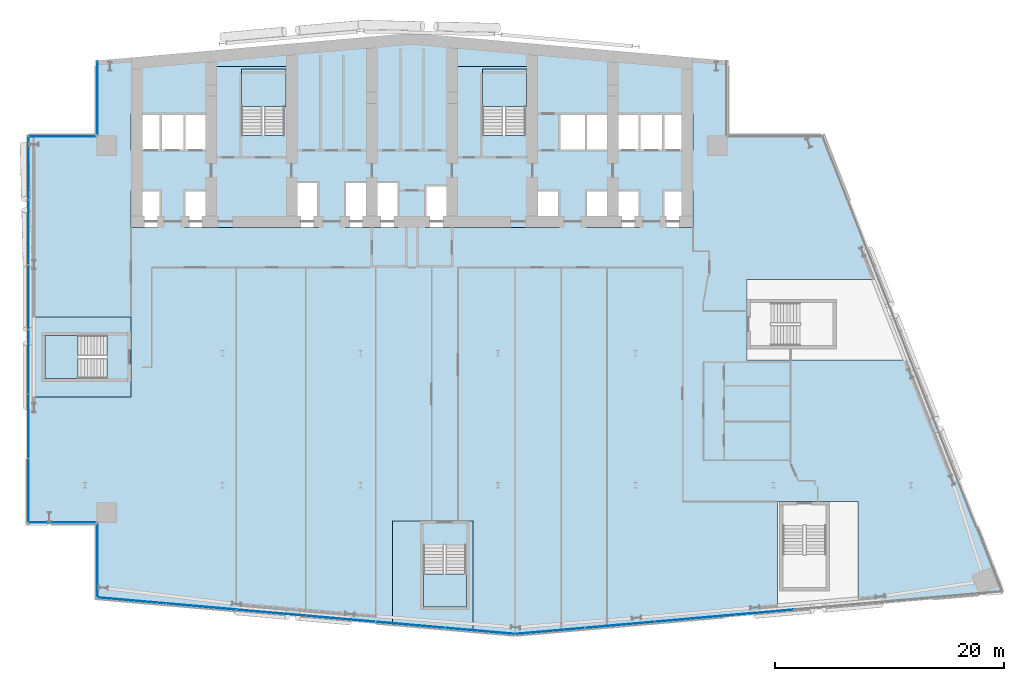
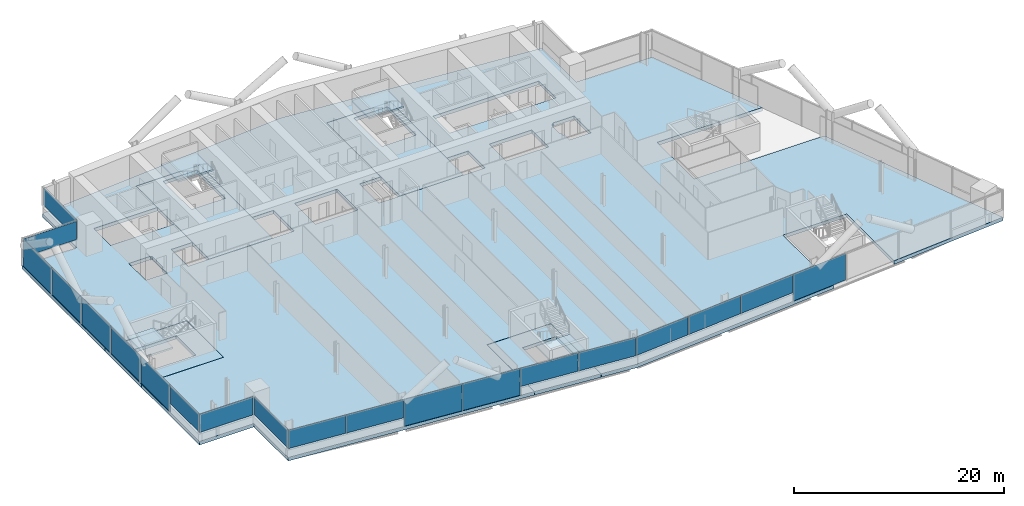
# One storey, part 12 of 25: 20 plates, 9 slabs, 11 elements without a shape of their own.
"""IFC4 building model written with IfcOpenShell, lengths in metres."""

from ifc_helpers import new_model, si_unit, direction, frame, origin, origin_2d, place, context, subcontext, project, spatial, polyline, rectangle, outline, extrude, material, layer, layer_set, type_object, element, aggregate, save


model = new_model("IFC4")

# Units and contexts
model_context = context("Model", 3, precision=1e-05, world=origin(), true_north=direction((0.0, 1.0)))
body_context = subcontext(model_context, "Body", "Model", "MODEL_VIEW")
ifc_project = project(units=[si_unit("LENGTHUNIT", "METRE"), si_unit("AREAUNIT", "SQUARE_METRE"), si_unit("VOLUMEUNIT", "CUBIC_METRE"), si_unit("PLANEANGLEUNIT", "RADIAN"), si_unit("MASSUNIT", "GRAM", prefix="KILO")], contexts=[model_context])

# Site, building, storey
site_placement = place(None, origin())
site = spatial("IfcSite", under=ifc_project, at=site_placement, CompositionType="ELEMENT")
building_placement = place(site_placement, origin())
building = spatial("IfcBuilding", under=site, at=building_placement, Name="Wharfspan Tower", CompositionType="ELEMENT")
storey_placement = place(building_placement, frame((0.0, 0.0, 129.100098)))
storey = spatial("IfcBuildingStorey", under=building, at=storey_placement, Name="L30", CompositionType="ELEMENT", Elevation=129.100098)

# Curtain wall, plates
ifc_material_1 = material(Name="Aluminium 6063-T6", Category="aluminium")
curtain_wall_type_1 = type_object("IfcCurtainWallType", Name="CURTAIN WALL FACETED FRONT", PredefinedType="NOTDEFINED", material=ifc_material_1)
curtain_wall_1_placement = place(storey_placement, origin())
curtain_wall_1 = element("IfcCurtainWall", 1, at=curtain_wall_1_placement, inside=storey, type_object=curtain_wall_type_1, Name="Curtain wall S1", PredefinedType="NOTDEFINED")
ifc_material_2 = material(Name="Glass clear low-iron double glazing", Category="glass")
ifc_layer_1 = layer(ifc_material_2, 0.040039)
ifc_layer_set_1 = layer_set([ifc_layer_1], Name="Glass clear low-iron double glazing")
plate_type_1 = type_object("IfcPlateType", Name="GLASS PANEL FACETED FRONT 40", PredefinedType="CURTAIN_PANEL", material=ifc_layer_set_1)
plate_1_placement = place(storey_placement, frame((16.061768, 1.467529, 0.999756), z_axis=(0.0, 0.0, 1.0), x_axis=(0.996198, -0.087156, 0.0)))
plate_1 = element("IfcPlate", 2, at=plate_1_placement, type_object=plate_type_1, Name="Curtain wall S1 panel 1", PredefinedType="CURTAIN_PANEL", context=body_context, shape_type="SweptSolid", body=[
    extrude(rectangle(XDim=6.016602, YDim=0.040039, at=origin_2d()), origin(), (0.0, 0.0, 1.0), 2.120117),
])
plate_2_placement = place(storey_placement, frame((22.130127, 0.936523, 0.999756), z_axis=(0.0, 0.0, 1.0), x_axis=(0.996198, -0.087156, 0.0)))
plate_2 = element("IfcPlate", 3, at=plate_2_placement, type_object=plate_type_1, Name="Curtain wall S1 panel 2", PredefinedType="CURTAIN_PANEL", context=body_context, shape_type="SweptSolid", body=[
    extrude(rectangle(XDim=6.046631, YDim=0.040039, at=origin_2d()), origin(), (0.0, 0.0, 1.0), 2.120117),
])
plate_3_placement = place(storey_placement, frame((40.380127, -0.660156, 0.999756), z_axis=(0.0, 0.0, 1.0), x_axis=(0.996198, -0.087156, 0.0)))
plate_3 = element("IfcPlate", 4, at=plate_3_placement, type_object=plate_type_1, Name="Curtain wall S1 panel 5", PredefinedType="CURTAIN_PANEL", context=body_context, shape_type="SweptSolid", body=[
    extrude(rectangle(XDim=6.046631, YDim=0.040039, at=origin_2d()), origin(), (0.0, 0.0, 1.0), 2.120117),
])
plate_4_placement = place(storey_placement, frame((46.44873, -1.191162, 0.999756), z_axis=(0.0, 0.0, 1.0), x_axis=(0.996198, -0.087156, 0.0)))
plate_4 = element("IfcPlate", 5, at=plate_4_placement, type_object=plate_type_1, Name="Curtain wall S1 panel 6", PredefinedType="CURTAIN_PANEL", context=body_context, shape_type="SweptSolid", body=[
    extrude(rectangle(XDim=6.016602, YDim=0.040039, at=origin_2d()), origin(), (0.0, 0.0, 1.0), 2.120117),
])

curtain_wall_2_placement = place(storey_placement, origin())
curtain_wall_2 = element("IfcCurtainWall", 6, at=curtain_wall_2_placement, inside=storey, type_object=curtain_wall_type_1, Name="Curtain wall S2", PredefinedType="NOTDEFINED")
plate_5_placement = place(storey_placement, frame((52.54541, -1.19165, 0.999756), z_axis=(0.0, 0.0, 1.0), x_axis=(0.996198, 0.087156, 0.0)))
plate_5 = element("IfcPlate", 7, at=plate_5_placement, type_object=plate_type_1, Name="Curtain wall S2 panel 1", PredefinedType="CURTAIN_PANEL", context=body_context, shape_type="SweptSolid", body=[
    extrude(rectangle(XDim=6.004639, YDim=0.040039, at=origin_2d()), origin(), (0.0, 0.0, 1.0), 2.120117),
])
plate_6_placement = place(storey_placement, frame((58.601807, -0.661621, 0.999756), z_axis=(0.0, 0.0, 1.0), x_axis=(0.996198, 0.087156, 0.0)))
plate_6 = element("IfcPlate", 8, at=plate_6_placement, type_object=plate_type_1, Name="Curtain wall S2 panel 2", PredefinedType="CURTAIN_PANEL", context=body_context, shape_type="SweptSolid", body=[
    extrude(rectangle(XDim=6.034668, YDim=0.040039, at=origin_2d()), origin(), (0.0, 0.0, 1.0), 2.120117),
])
plate_7_placement = place(storey_placement, frame((64.67334, -0.130615, 0.999756), z_axis=(0.0, 0.0, 1.0), x_axis=(0.996198, 0.087156, 0.0)))
plate_7 = element("IfcPlate", 9, at=plate_7_placement, type_object=plate_type_1, Name="Curtain wall S2 panel 3", PredefinedType="CURTAIN_PANEL", context=body_context, shape_type="SweptSolid", body=[
    extrude(rectangle(XDim=6.034668, YDim=0.040039, at=origin_2d()), origin(), (0.0, 0.0, 1.0), 2.120117),
])

# Curtain wall, plate
curtain_wall_type_2 = type_object("IfcCurtainWallType", Name="CURTAIN WALL PROW AND END", PredefinedType="NOTDEFINED", material=ifc_material_1)
curtain_wall_3_placement = place(storey_placement, origin())
curtain_wall_3 = element("IfcCurtainWall", 10, at=curtain_wall_3_placement, inside=storey, type_object=curtain_wall_type_2, Name="Curtain wall NRW-V", PredefinedType="NOTDEFINED")
ifc_layer_2 = layer(ifc_material_2, 0.040039)
ifc_layer_set_2 = layer_set([ifc_layer_2], Name="Glass clear low-iron double glazing")
plate_type_2 = type_object("IfcPlateType", Name="GLASS PANEL PROW AND END 40", PredefinedType="CURTAIN_PANEL", material=ifc_layer_set_2)
plate_8_placement = place(storey_placement, frame((13.080078, 45.262451, 0.999756), z_axis=(0.0, 0.0, 1.0), x_axis=(0.0, -1.0, 0.0)))
plate_8 = element("IfcPlate", 11, at=plate_8_placement, type_object=plate_type_2, Name="Curtain wall NRW-V panel 1", PredefinedType="CURTAIN_PANEL", context=body_context, shape_type="SweptSolid", body=[
    extrude(rectangle(XDim=6.405029, YDim=0.040039, at=origin_2d()), origin(), (0.0, 0.0, 1.0), 2.120117),
])
aggregate(curtain_wall_3, [plate_8])

curtain_wall_4_placement = place(storey_placement, origin())
curtain_wall_4 = element("IfcCurtainWall", 12, at=curtain_wall_4_placement, inside=storey, type_object=curtain_wall_type_2, Name="Curtain wall NRW-H", PredefinedType="NOTDEFINED")
plate_9_placement = place(storey_placement, frame((10.0, 41.919922, 0.999756), z_axis=(0.0, 0.0, 1.0), x_axis=(-1.0, 0.0, 0.0)))
plate_9 = element("IfcPlate", 13, at=plate_9_placement, type_object=plate_type_2, Name="Curtain wall NRW-H panel 1", PredefinedType="CURTAIN_PANEL", context=body_context, shape_type="SweptSolid", body=[
    extrude(rectangle(XDim=5.879883, YDim=0.040039, at=origin_2d()), origin(), (0.0, 0.0, 1.0), 2.120117),
])
aggregate(curtain_wall_4, [plate_9])

curtain_wall_5_placement = place(storey_placement, origin())
curtain_wall_5 = element("IfcCurtainWall", 14, at=curtain_wall_5_placement, inside=storey, type_object=curtain_wall_type_2, Name="Curtain wall W", PredefinedType="NOTDEFINED")
plate_10_placement = place(storey_placement, frame((7.080078, 11.031738, 0.999756), z_axis=(0.0, 0.0, 1.0), x_axis=(0.0, -1.0, 0.0)))
plate_10 = element("IfcPlate", 15, at=plate_10_placement, type_object=plate_type_2, Name="Curtain wall W panel 6", PredefinedType="CURTAIN_PANEL", context=body_context, shape_type="SweptSolid", body=[
    extrude(rectangle(XDim=5.543213, YDim=0.040039, at=origin_2d()), origin(), (0.0, 0.0, 1.0), 2.120117),
])

curtain_wall_6_placement = place(storey_placement, origin())
curtain_wall_6 = element("IfcCurtainWall", 16, at=curtain_wall_6_placement, inside=storey, type_object=curtain_wall_type_2, Name="Curtain wall NFW-H", PredefinedType="NOTDEFINED")
plate_11_placement = place(storey_placement, frame((10.0, 8.280029, 0.999756), z_axis=(0.0, 0.0, 1.0), x_axis=(1.0, 0.0, 0.0)))
plate_11 = element("IfcPlate", 17, at=plate_11_placement, type_object=plate_type_2, Name="Curtain wall NFW-H panel 1", PredefinedType="CURTAIN_PANEL", context=body_context, shape_type="SweptSolid", body=[
    extrude(rectangle(XDim=5.879883, YDim=0.040039, at=origin_2d()), origin(), (0.0, 0.0, 1.0), 2.120117),
])
aggregate(curtain_wall_6, [plate_11])

curtain_wall_7_placement = place(storey_placement, origin())
curtain_wall_7 = element("IfcCurtainWall", 18, at=curtain_wall_7_placement, inside=storey, type_object=curtain_wall_type_2, Name="Curtain wall NFW-V", PredefinedType="NOTDEFINED")
plate_12_placement = place(storey_placement, frame((13.080078, 4.9375, 0.999756), z_axis=(0.0, 0.0, 1.0), x_axis=(0.0, -1.0, 0.0)))
plate_12 = element("IfcPlate", 19, at=plate_12_placement, type_object=plate_type_2, Name="Curtain wall NFW-V panel 1", PredefinedType="CURTAIN_PANEL", context=body_context, shape_type="SweptSolid", body=[
    extrude(rectangle(XDim=6.405029, YDim=0.040039, at=origin_2d()), origin(), (0.0, 0.0, 1.0), 2.120117),
])
aggregate(curtain_wall_7, [plate_12])

# Plate
ifc_material_3 = material(Name="Aluminium composite opaque insulated panel", Category="aluminium")
ifc_layer_3 = layer(ifc_material_3, 0.040039)
ifc_layer_set_3 = layer_set([ifc_layer_3], Name="Aluminium composite opaque insulated panel")
plate_type_3 = type_object("IfcPlateType", Name="INFILL PANEL FACETED FRONT OPAQUE 40", PredefinedType="SHEET", material=ifc_layer_set_3)
plate_13_placement = place(storey_placement, frame((28.213623, 0.404297, -0.000244), z_axis=(0.0, 0.0, 1.0), x_axis=(0.996198, -0.087156, 0.0)))
plate_13 = element("IfcPlate", 20, at=plate_13_placement, type_object=plate_type_3, Name="Curtain wall S1 panel 3", PredefinedType="SHEET", context=body_context, shape_type="SweptSolid", body=[
    extrude(rectangle(XDim=6.046631, YDim=0.040039, at=origin_2d()), origin(), (0.0, 0.0, 1.0), 3.120117),
])

plate_14_placement = place(storey_placement, frame((34.296875, -0.12793, -0.000244), z_axis=(0.0, 0.0, 1.0), x_axis=(0.996198, -0.087156, 0.0)))
plate_14 = element("IfcPlate", 21, at=plate_14_placement, type_object=plate_type_3, Name="Curtain wall S1 panel 4", PredefinedType="SHEET", context=body_context, shape_type="SweptSolid", body=[
    extrude(rectangle(XDim=6.046631, YDim=0.040039, at=origin_2d()), origin(), (0.0, 0.0, 1.0), 3.120117),
])

aggregate(curtain_wall_1, [plate_1, plate_2, plate_13, plate_14, plate_3, plate_4])

plate_15_placement = place(storey_placement, frame((70.744873, 0.400635, -0.000244), z_axis=(0.0, 0.0, 1.0), x_axis=(0.996198, 0.087156, 0.0)))
plate_15 = element("IfcPlate", 22, at=plate_15_placement, type_object=plate_type_3, Name="Curtain wall S2 panel 4", PredefinedType="SHEET", context=body_context, shape_type="SweptSolid", body=[
    extrude(rectangle(XDim=6.034668, YDim=0.040039, at=origin_2d()), origin(), (0.0, 0.0, 1.0), 3.120117),
])

aggregate(curtain_wall_2, [plate_5, plate_6, plate_7, plate_15])

ifc_layer_4 = layer(ifc_material_3, 0.040039)
ifc_layer_set_4 = layer_set([ifc_layer_4], Name="Aluminium composite opaque insulated panel")
plate_type_4 = type_object("IfcPlateType", Name="INFILL PANEL PROW AND END OPAQUE 40", PredefinedType="SHEET", material=ifc_layer_set_4)
plate_16_placement = place(storey_placement, frame((7.080078, 39.168213, -0.000244), z_axis=(0.0, 0.0, 1.0), x_axis=(0.0, -1.0, 0.0)))
plate_16 = element("IfcPlate", 23, at=plate_16_placement, type_object=plate_type_4, Name="Curtain wall W panel 1", PredefinedType="SHEET", context=body_context, shape_type="SweptSolid", body=[
    extrude(rectangle(XDim=5.543213, YDim=0.040039, at=origin_2d()), origin(), (0.0, 0.0, 1.0), 3.120117),
])

plate_17_placement = place(storey_placement, frame((7.080078, 33.550049, -0.000244), z_axis=(0.0, 0.0, 1.0), x_axis=(0.0, -1.0, 0.0)))
plate_17 = element("IfcPlate", 24, at=plate_17_placement, type_object=plate_type_4, Name="Curtain wall W panel 2", PredefinedType="SHEET", context=body_context, shape_type="SweptSolid", body=[
    extrude(rectangle(XDim=5.573242, YDim=0.040039, at=origin_2d()), origin(), (0.0, 0.0, 1.0), 3.120117),
])

plate_18_placement = place(storey_placement, frame((7.080078, 27.916748, -0.000244), z_axis=(0.0, 0.0, 1.0), x_axis=(0.0, -1.0, 0.0)))
plate_18 = element("IfcPlate", 25, at=plate_18_placement, type_object=plate_type_4, Name="Curtain wall W panel 3", PredefinedType="SHEET", context=body_context, shape_type="SweptSolid", body=[
    extrude(rectangle(XDim=5.573242, YDim=0.040039, at=origin_2d()), origin(), (0.0, 0.0, 1.0), 3.120117),
])

plate_19_placement = place(storey_placement, frame((7.080078, 22.283447, -0.000244), z_axis=(0.0, 0.0, 1.0), x_axis=(0.0, -1.0, 0.0)))
plate_19 = element("IfcPlate", 26, at=plate_19_placement, type_object=plate_type_4, Name="Curtain wall W panel 4", PredefinedType="SHEET", context=body_context, shape_type="SweptSolid", body=[
    extrude(rectangle(XDim=5.573242, YDim=0.040039, at=origin_2d()), origin(), (0.0, 0.0, 1.0), 3.120117),
])

plate_20_placement = place(storey_placement, frame((7.080078, 16.649902, -0.000244), z_axis=(0.0, 0.0, 1.0), x_axis=(0.0, -1.0, 0.0)))
plate_20 = element("IfcPlate", 27, at=plate_20_placement, type_object=plate_type_4, Name="Curtain wall W panel 5", PredefinedType="SHEET", context=body_context, shape_type="SweptSolid", body=[
    extrude(rectangle(XDim=5.573242, YDim=0.040039, at=origin_2d()), origin(), (0.0, 0.0, 1.0), 3.120117),
])

aggregate(curtain_wall_5, [plate_16, plate_17, plate_18, plate_19, plate_20, plate_10])

# Slabs
ifc_material_4 = material(Name="Concrete C40/50", Category="concrete")
ifc_layer_5 = layer(ifc_material_4, 0.399902)
ifc_layer_set_5 = layer_set([ifc_layer_5], Name="Concrete C40/50")
slab_type_1 = type_object("IfcSlabType", Name="Post-tensioned flat slab 400", PredefinedType="FLOOR", material=ifc_layer_set_5)
slab_1_placement = place(storey_placement, frame((0.0, 0.0, -0.400146)))
element("IfcSlab", 28, at=slab_1_placement, inside=storey, type_object=slab_type_1, Name="Floor slab L30", PredefinedType="FLOOR", context=body_context, shape_type="SweptSolid", body=[
    extrude(outline(polyline([(38.800293, -0.582275), (38.800293, 8.427002), (45.820312, 8.427002), (45.820312, -1.196289), (49.5, -1.518311), (72.355957, 0.481445), (72.355957, 10.104736), (79.375977, 10.104736), (79.375977, 1.095459), (92.0, 2.199951), (84.04541, 22.439941), (69.68042, 22.439941), (69.68042, 29.459961), (81.286621, 29.459961), (76.358154, 42.0), (68.0, 42.0), (68.0, 48.524902), (40.5, 50.930908), (13.0, 48.524902), (13.0, 42.0), (7.0, 42.0), (7.0, 26.209961), (16.01001, 26.209961), (16.01001, 19.189941), (7.0, 19.189941), (7.0, 8.199951), (13.0, 8.199951), (13.0, 1.675049), (38.800293, -0.582275)]), holes=[polyline([(62.48999, 35.389893), (62.36499, 35.389893), (62.36499, 36.909912), (62.48999, 36.909912), (62.48999, 37.110107), (62.656738, 37.110107), (62.656738, 37.209961), (65.01001, 37.209961), (65.01001, 33.98999), (62.656738, 33.98999), (62.656738, 34.98999), (62.48999, 34.98999), (62.48999, 35.389893)]), polyline([(65.01001, 43.909912), (65.01001, 40.689941), (53.323242, 40.689941), (53.323242, 43.909912), (65.01001, 43.909912)]), polyline([(55.656738, 33.98999), (55.656738, 37.209961), (60.343262, 37.209961), (60.343262, 33.98999), (55.656738, 33.98999)]), polyline([(43.98999, 37.659912), (43.98999, 48.01001), (51.01001, 48.01001), (51.01001, 37.209961), (53.343262, 37.209961), (53.343262, 33.98999), (41.656738, 33.98999), (41.656738, 37.659912), (43.98999, 37.659912)]), polyline([(34.656738, 33.98999), (34.656738, 37.959961), (39.343262, 37.959961), (39.343262, 33.98999), (34.656738, 33.98999)]), polyline([(20.656738, 37.209961), (22.98999, 37.209961), (22.98999, 40.689941), (20.676758, 40.689941), (20.656738, 40.689941), (15.98999, 40.689941), (15.98999, 43.909912), (20.656738, 43.909912), (20.676758, 43.909912), (22.98999, 43.909912), (22.98999, 48.01001), (30.01001, 48.01001), (30.01001, 37.959961), (32.343262, 37.959961), (32.343262, 33.98999), (20.656738, 33.98999), (20.656738, 37.209961)]), polyline([(18.51001, 34.98999), (18.343262, 34.98999), (18.343262, 33.98999), (15.98999, 33.98999), (15.98999, 37.209961), (18.343262, 37.209961), (18.343262, 37.110107), (18.51001, 37.110107), (18.51001, 34.98999)])]), origin(), (0.0, 0.0, 1.0), 0.400146),
])
slab_2_placement = place(storey_placement, frame((0.0, 0.0, -0.400146)))
element("IfcSlab", 29, at=slab_2_placement, inside=storey, type_object=slab_type_1, Name="Core floor slab L30 part 1", PredefinedType="FLOOR", context=body_context, shape_type="SweptSolid", body=[
    extrude(outline(polyline([(16.0, 20.524902), (16.0, 24.875), (16.0, 26.199951), (7.0, 26.199951), (7.0, 19.199951), (16.0, 19.199951), (16.0, 20.524902)]), holes=[polyline([(13.9021, 20.824951), (13.9021, 20.824707), (13.9021, 20.824707), (13.901855, 20.824463), (13.901855, 20.824219), (13.901855, 20.824219), (13.901611, 20.823975), (13.901611, 20.82373), (13.901367, 20.823486), (13.901367, 20.823486), (13.901123, 20.823242), (13.900879, 20.823242), (13.900879, 20.823242), (13.900635, 20.822998), (13.900391, 20.822998), (13.900146, 20.822998), (13.899902, 20.822998), (8.5, 20.822998), (8.499756, 20.822998), (8.499512, 20.822998), (8.499512, 20.822998), (8.499268, 20.823242), (8.499023, 20.823242), (8.498779, 20.823242), (8.498779, 20.823486), (8.498535, 20.823486), (8.498535, 20.82373), (8.498291, 20.823975), (8.498291, 20.824219), (8.498291, 20.824219), (8.498047, 20.824463), (8.498047, 20.824707), (8.498047, 20.824707), (8.498047, 20.824951), (8.498047, 24.574951), (8.498047, 24.575195), (8.498047, 24.575439), (8.498047, 24.575684), (8.498291, 24.575684), (8.498291, 24.575928), (8.498291, 24.576172), (8.498535, 24.576416), (8.498535, 24.576416), (8.498779, 24.576416), (8.498779, 24.57666), (8.499023, 24.576904), (8.499268, 24.576904), (8.499512, 24.576904), (8.499512, 24.576904), (8.499756, 24.576904), (8.5, 24.576904), (13.899902, 24.576904), (13.900146, 24.576904), (13.900391, 24.576904), (13.900635, 24.576904), (13.900879, 24.576904), (13.900879, 24.576904), (13.901123, 24.57666), (13.901367, 24.576416), (13.901367, 24.576416), (13.901611, 24.576416), (13.901611, 24.576172), (13.901855, 24.575928), (13.901855, 24.575684), (13.901855, 24.575684), (13.9021, 24.575439), (13.9021, 24.575195), (13.9021, 24.574951), (13.9021, 20.824951)])]), origin(), (0.0, 0.0, 1.0), 0.400146),
])
slab_3_placement = place(storey_placement, frame((0.0, 0.0, -0.400146)))
element("IfcSlab", 30, at=slab_3_placement, inside=storey, type_object=slab_type_1, Name="Core floor slab L30 part 2", PredefinedType="FLOOR", context=body_context, shape_type="SweptSolid", body=[
    extrude(outline(polyline([(20.664795, 34.0), (20.664795, 37.199951), (20.664795, 37.200195), (20.664795, 37.200439), (20.664795, 37.200684), (20.664795, 37.200684), (20.664795, 37.200928), (20.665039, 37.201172), (20.665039, 37.201416), (20.665283, 37.201416), (20.665283, 37.201416), (20.665527, 37.20166), (20.665771, 37.201904), (20.666016, 37.201904), (20.666016, 37.201904), (20.66626, 37.201904), (20.666504, 37.201904), (20.666748, 37.201904), (23.0, 37.201904), (23.000244, 37.201904), (23.000488, 37.201904), (23.000488, 37.201904), (23.000732, 37.201904), (23.000977, 37.201904), (23.001221, 37.20166), (23.001221, 37.201416), (23.001465, 37.201416), (23.001465, 37.201416), (23.001709, 37.201172), (23.001709, 37.200928), (23.001709, 37.200684), (23.001953, 37.200684), (23.001953, 37.200439), (23.001953, 37.200195), (23.001953, 37.199951), (23.001953, 34.0), (29.998047, 34.0), (29.998047, 37.949951), (29.998047, 37.950195), (29.998047, 37.950439), (29.998047, 37.950684), (29.998291, 37.950684), (29.998291, 37.950928), (29.998291, 37.951172), (29.998535, 37.951416), (29.998535, 37.951416), (29.998779, 37.951416), (29.998779, 37.95166), (29.999023, 37.951904), (29.999268, 37.951904), (29.999512, 37.951904), (29.999512, 37.951904), (29.999756, 37.951904), (30.0, 37.951904), (32.333252, 37.951904), (32.333496, 37.951904), (32.33374, 37.951904), (32.333984, 37.951904), (32.333984, 37.951904), (32.334229, 37.951904), (32.334473, 37.95166), (32.334717, 37.951416), (32.334717, 37.951416), (32.334961, 37.951416), (32.334961, 37.951172), (32.335205, 37.950928), (32.335205, 37.950684), (32.335205, 37.950684), (32.335205, 37.950439), (32.335205, 37.950195), (32.335205, 37.949951), (32.335205, 34.0), (32.341309, 34.0), (32.341309, 37.958008), (30.01001, 37.958008), (30.009766, 37.958008), (30.009521, 37.958008), (30.009521, 37.958008), (30.009277, 37.958252), (30.009033, 37.958252), (30.008789, 37.958252), (30.008789, 37.958496), (30.008545, 37.958496), (30.008545, 37.95874), (30.008301, 37.958984), (30.008301, 37.958984), (30.008301, 37.959229), (30.008057, 37.959473), (30.008057, 37.959717), (30.008057, 37.959717), (30.008057, 37.959961), (30.008057, 48.008057), (22.991943, 48.008057), (22.991943, 43.909912), (22.991943, 43.909912), (22.991943, 43.909668), (22.991943, 43.909424), (22.991699, 43.90918), (22.991699, 43.90918), (22.991699, 43.908936), (22.991455, 43.908691), (22.991455, 43.908691), (22.991211, 43.908447), (22.991211, 43.908203), (22.990967, 43.908203), (22.990723, 43.908203), (22.990479, 43.908203), (22.990479, 43.907959), (22.990234, 43.907959), (22.98999, 43.907959), (16.0, 43.907959), (16.0, 43.9021), (20.666748, 43.9021), (20.666748, 43.9021), (23.0, 43.9021), (23.000244, 43.9021), (23.000488, 43.9021), (23.000488, 43.901855), (23.000732, 43.901855), (23.000977, 43.901855), (23.001221, 43.901611), (23.001221, 43.901611), (23.001465, 43.901367), (23.001465, 43.901367), (23.001709, 43.901123), (23.001709, 43.900879), (23.001709, 43.900879), (23.001953, 43.900635), (23.001953, 43.900391), (23.001953, 43.900146), (23.001953, 43.899902), (23.001953, 40.699951), (23.001953, 40.699707), (23.001953, 40.699707), (23.001953, 40.699463), (23.001709, 40.699219), (23.001709, 40.699219), (23.001709, 40.698975), (23.001465, 40.69873), (23.001465, 40.698486), (23.001221, 40.698486), (23.001221, 40.698242), (23.000977, 40.698242), (23.000732, 40.698242), (23.000488, 40.697998), (23.000488, 40.697998), (23.000244, 40.697998), (23.0, 40.697998), (20.666748, 40.697998), (20.666748, 40.697998), (16.0, 40.697998), (16.0, 40.691895), (22.98999, 40.691895), (22.990234, 40.691895), (22.990479, 40.691895), (22.990479, 40.691895), (22.990723, 40.691895), (22.990967, 40.691895), (22.991211, 40.69165), (22.991211, 40.691406), (22.991455, 40.691406), (22.991455, 40.691406), (22.991699, 40.691162), (22.991699, 40.690918), (22.991699, 40.690918), (22.991943, 40.690674), (22.991943, 40.69043), (22.991943, 40.690186), (22.991943, 40.689941), (22.991943, 37.209961), (22.991943, 37.209717), (22.991943, 37.209717), (22.991943, 37.209473), (22.991699, 37.209229), (22.991699, 37.208984), (22.991699, 37.208984), (22.991455, 37.20874), (22.991455, 37.208496), (22.991211, 37.208496), (22.991211, 37.208252), (22.990967, 37.208252), (22.990723, 37.208252), (22.990479, 37.208008), (22.990479, 37.208008), (22.990234, 37.208008), (22.98999, 37.208008), (20.658691, 37.208008), (20.658691, 34.0), (20.664795, 34.0)]), holes=[polyline([(25.649902, 41.998047), (25.649902, 41.998047), (25.649658, 41.998047), (25.649414, 41.998047), (25.64917, 41.998291), (25.64917, 41.998291), (25.648926, 41.998291), (25.648682, 41.998535), (25.648682, 41.998535), (25.648438, 41.998779), (25.648193, 41.998779), (25.648193, 41.999023), (25.648193, 41.999268), (25.648193, 41.999512), (25.647949, 41.999512), (25.647949, 41.999756), (25.647949, 42.0), (25.647949, 47.399902), (25.647949, 47.400146), (25.647949, 47.400391), (25.648193, 47.400635), (25.648193, 47.400879), (25.648193, 47.400879), (25.648193, 47.401123), (25.648438, 47.401367), (25.648682, 47.401367), (25.648682, 47.401611), (25.648926, 47.401611), (25.64917, 47.401855), (25.64917, 47.401855), (25.649414, 47.401855), (25.649658, 47.4021), (25.649902, 47.4021), (25.649902, 47.4021), (29.399902, 47.4021), (29.400146, 47.4021), (29.400391, 47.4021), (29.400635, 47.401855), (29.400879, 47.401855), (29.400879, 47.401855), (29.401123, 47.401611), (29.401367, 47.401611), (29.401367, 47.401367), (29.401611, 47.401367), (29.401611, 47.401123), (29.401855, 47.400879), (29.401855, 47.400879), (29.401855, 47.400635), (29.4021, 47.400391), (29.4021, 47.400146), (29.4021, 47.399902), (29.4021, 42.0), (29.4021, 41.999756), (29.4021, 41.999512), (29.401855, 41.999512), (29.401855, 41.999268), (29.401855, 41.999023), (29.401611, 41.998779), (29.401611, 41.998779), (29.401367, 41.998535), (29.401367, 41.998535), (29.401123, 41.998291), (29.400879, 41.998291), (29.400879, 41.998291), (29.400635, 41.998047), (29.400391, 41.998047), (29.400146, 41.998047), (29.399902, 41.998047), (25.649902, 41.998047)])]), origin(), (0.0, 0.0, 1.0), 0.400146),
])
slab_4_placement = place(storey_placement, frame((0.0, 0.0, -0.400146)))
element("IfcSlab", 31, at=slab_4_placement, inside=storey, type_object=slab_type_1, Name="Core floor slab L30 part 3", PredefinedType="FLOOR", context=body_context, shape_type="SweptSolid", body=[
    extrude(outline(polyline([(45.5354, 8.416992), (41.185303, 8.416992), (38.810303, 8.416992), (38.810303, -0.583008), (45.810303, -1.195557), (45.810303, 8.416992), (45.5354, 8.416992)]), holes=[polyline([(41.483398, 6.316895), (41.483398, 6.317139), (41.483398, 6.317383), (41.483398, 6.317383), (41.483398, 6.317627), (41.483398, 6.317871), (41.483643, 6.318115), (41.483643, 6.318115), (41.483887, 6.318359), (41.483887, 6.318604), (41.484131, 6.318604), (41.484375, 6.318604), (41.484619, 6.318848), (41.484619, 6.318848), (41.484863, 6.318848), (41.485107, 6.319092), (41.485352, 6.319092), (45.235352, 6.319092), (45.235596, 6.319092), (45.235596, 6.318848), (45.23584, 6.318848), (45.236084, 6.318848), (45.236084, 6.318604), (45.236328, 6.318604), (45.236572, 6.318604), (45.236816, 6.318359), (45.236816, 6.318115), (45.236816, 6.318115), (45.237061, 6.317871), (45.237061, 6.317627), (45.237305, 6.317383), (45.237305, 6.317383), (45.237305, 6.317139), (45.237305, 6.316895), (45.237305, 0.916992), (45.237305, 0.916748), (45.237305, 0.916504), (45.237305, 0.916504), (45.237061, 0.91626), (45.237061, 0.916016), (45.236816, 0.916016), (45.236816, 0.915771), (45.236816, 0.915527), (45.236572, 0.915283), (45.236328, 0.915283), (45.236084, 0.915283), (45.236084, 0.915039), (45.23584, 0.915039), (45.235596, 0.915039), (45.235596, 0.915039), (45.235352, 0.915039), (41.485352, 0.915039), (41.485107, 0.915039), (41.484863, 0.915039), (41.484619, 0.915039), (41.484619, 0.915039), (41.484375, 0.915283), (41.484131, 0.915283), (41.483887, 0.915283), (41.483887, 0.915527), (41.483643, 0.915771), (41.483643, 0.916016), (41.483398, 0.916016), (41.483398, 0.91626), (41.483398, 0.916504), (41.483398, 0.916504), (41.483398, 0.916748), (41.483398, 0.916992), (41.483398, 6.316895)])]), origin(), (0.0, 0.0, 1.0), 0.400146),
])
slab_5_placement = place(storey_placement, frame((0.0, 0.0, -0.400146)))
element("IfcSlab", 32, at=slab_5_placement, inside=storey, type_object=slab_type_1, Name="Core floor slab L30 part 4", PredefinedType="FLOOR", context=body_context, shape_type="SweptSolid", body=[
    extrude(outline(polyline([(53.341309, 34.0), (53.341309, 37.208008), (51.01001, 37.208008), (51.009766, 37.208008), (51.009521, 37.208008), (51.009521, 37.208008), (51.009277, 37.208252), (51.009033, 37.208252), (51.008789, 37.208252), (51.008789, 37.208496), (51.008545, 37.208496), (51.008545, 37.20874), (51.008301, 37.208984), (51.008301, 37.208984), (51.008301, 37.209229), (51.008057, 37.209473), (51.008057, 37.209717), (51.008057, 37.209717), (51.008057, 37.209961), (51.008057, 48.008057), (43.991943, 48.008057), (43.991943, 37.659912), (43.991943, 37.659912), (43.991943, 37.659668), (43.991943, 37.659424), (43.991699, 37.65918), (43.991699, 37.65918), (43.991699, 37.658936), (43.991455, 37.658691), (43.991455, 37.658691), (43.991211, 37.658447), (43.991211, 37.658203), (43.990967, 37.658203), (43.990723, 37.658203), (43.990479, 37.658203), (43.990479, 37.657959), (43.990234, 37.657959), (43.98999, 37.657959), (41.658691, 37.657959), (41.658691, 34.0), (41.664795, 34.0), (41.664795, 37.649902), (41.664795, 37.650146), (41.664795, 37.650391), (41.664795, 37.650635), (41.664795, 37.650879), (41.664795, 37.650879), (41.665039, 37.651123), (41.665039, 37.651367), (41.665283, 37.651367), (41.665283, 37.651611), (41.665527, 37.651611), (41.665771, 37.651855), (41.666016, 37.651855), (41.666016, 37.651855), (41.66626, 37.6521), (41.666504, 37.6521), (41.666748, 37.6521), (44.0, 37.6521), (44.000244, 37.6521), (44.000488, 37.6521), (44.000488, 37.651855), (44.000732, 37.651855), (44.000977, 37.651855), (44.001221, 37.651611), (44.001221, 37.651611), (44.001465, 37.651367), (44.001465, 37.651367), (44.001709, 37.651123), (44.001709, 37.650879), (44.001709, 37.650879), (44.001953, 37.650635), (44.001953, 37.650391), (44.001953, 37.650146), (44.001953, 37.649902), (44.001953, 34.0), (50.998047, 34.0), (50.998047, 37.199951), (50.998047, 37.200195), (50.998047, 37.200439), (50.998047, 37.200684), (50.998291, 37.200684), (50.998291, 37.200928), (50.998291, 37.201172), (50.998535, 37.201416), (50.998535, 37.201416), (50.998779, 37.201416), (50.998779, 37.20166), (50.999023, 37.201904), (50.999268, 37.201904), (50.999512, 37.201904), (50.999512, 37.201904), (50.999756, 37.201904), (51.0, 37.201904), (53.333252, 37.201904), (53.333496, 37.201904), (53.33374, 37.201904), (53.333984, 37.201904), (53.333984, 37.201904), (53.334229, 37.201904), (53.334473, 37.20166), (53.334717, 37.201416), (53.334717, 37.201416), (53.334961, 37.201416), (53.334961, 37.201172), (53.335205, 37.200928), (53.335205, 37.200684), (53.335205, 37.200684), (53.335205, 37.200439), (53.335205, 37.200195), (53.335205, 37.199951), (53.335205, 34.0), (53.341309, 34.0)]), holes=[polyline([(50.4021, 42.0), (50.4021, 41.999756), (50.4021, 41.999512), (50.401855, 41.999512), (50.401855, 41.999268), (50.401855, 41.999023), (50.401611, 41.998779), (50.401611, 41.998779), (50.401367, 41.998535), (50.401367, 41.998535), (50.401123, 41.998291), (50.400879, 41.998291), (50.400879, 41.998291), (50.400635, 41.998047), (50.400391, 41.998047), (50.400146, 41.998047), (50.399902, 41.998047), (46.649902, 41.998047), (46.649902, 41.998047), (46.649658, 41.998047), (46.649414, 41.998047), (46.64917, 41.998291), (46.64917, 41.998291), (46.648926, 41.998291), (46.648682, 41.998535), (46.648682, 41.998535), (46.648438, 41.998779), (46.648193, 41.998779), (46.648193, 41.999023), (46.648193, 41.999268), (46.648193, 41.999512), (46.647949, 41.999512), (46.647949, 41.999756), (46.647949, 42.0), (46.647949, 47.399902), (46.647949, 47.400146), (46.647949, 47.400391), (46.648193, 47.400635), (46.648193, 47.400879), (46.648193, 47.400879), (46.648193, 47.401123), (46.648438, 47.401367), (46.648682, 47.401367), (46.648682, 47.401611), (46.648926, 47.401611), (46.64917, 47.401855), (46.64917, 47.401855), (46.649414, 47.401855), (46.649658, 47.4021), (46.649902, 47.4021), (46.649902, 47.4021), (50.399902, 47.4021), (50.400146, 47.4021), (50.400391, 47.4021), (50.400635, 47.401855), (50.400879, 47.401855), (50.400879, 47.401855), (50.401123, 47.401611), (50.401367, 47.401611), (50.401367, 47.401367), (50.401611, 47.401367), (50.401611, 47.401123), (50.401855, 47.400879), (50.401855, 47.400879), (50.401855, 47.400635), (50.4021, 47.400391), (50.4021, 47.400146), (50.4021, 47.399902), (50.4021, 42.0)])]), origin(), (0.0, 0.0, 1.0), 0.400146),
])

# Stair, slab
stair_type = type_object("IfcStairType", Name="Half-turn stair 20 risers 180 mm", PredefinedType="HALF_TURN_STAIR", material=ifc_material_4)
stair_1_placement = place(storey_placement, origin())
stair_1 = element("IfcStair", 33, at=stair_1_placement, inside=storey, type_object=stair_type, Name="L30 stair ST1", PredefinedType="HALF_TURN_STAIR")
ifc_layer_6 = layer(ifc_material_4, 0.199951)
ifc_layer_set_6 = layer_set([ifc_layer_6], Name="Concrete C40/50")
slab_type_2 = type_object("IfcSlabType", Name="Stair landing 200", PredefinedType="LANDING", material=ifc_layer_set_6)
slab_6_placement = place(storey_placement, frame((0.0, 0.0, 1.599609)))
slab_6 = element("IfcSlab", 34, at=slab_6_placement, type_object=slab_type_2, Name="ST1 landing 1", PredefinedType="LANDING", context=body_context, shape_type="SweptSolid", body=[
    extrude(outline(polyline([(25.649902, 44.52002), (29.5, 44.52002), (29.5, 47.783691), (25.649902, 47.783691), (25.649902, 44.52002)])), origin(), (0.0, 0.0, 1.0), 0.200195),
])
aggregate(stair_1, [slab_6])

stair_2_placement = place(storey_placement, origin())
stair_2 = element("IfcStair", 35, at=stair_2_placement, inside=storey, type_object=stair_type, Name="L30 stair ST2", PredefinedType="HALF_TURN_STAIR")
slab_7_placement = place(storey_placement, frame((0.0, 0.0, 1.599609)))
slab_7 = element("IfcSlab", 36, at=slab_7_placement, type_object=slab_type_2, Name="ST2 landing 1", PredefinedType="LANDING", context=body_context, shape_type="SweptSolid", body=[
    extrude(outline(polyline([(46.649902, 44.52002), (50.5, 44.52002), (50.5, 47.783691), (46.649902, 47.783691), (46.649902, 44.52002)])), origin(), (0.0, 0.0, 1.0), 0.200195),
])
aggregate(stair_2, [slab_7])

stair_3_placement = place(storey_placement, origin())
stair_3 = element("IfcStair", 37, at=stair_3_placement, inside=storey, type_object=stair_type, Name="L30 stair ST3", PredefinedType="HALF_TURN_STAIR")
slab_8_placement = place(storey_placement, frame((0.0, 0.0, 1.599609)))
slab_8 = element("IfcSlab", 38, at=slab_8_placement, type_object=slab_type_2, Name="ST3 landing 1", PredefinedType="LANDING", context=body_context, shape_type="SweptSolid", body=[
    extrude(outline(polyline([(11.379883, 24.574951), (8.5, 24.574951), (8.5, 20.824951), (11.379883, 20.824951), (11.379883, 24.574951)])), origin(), (0.0, 0.0, 1.0), 0.200195),
])
aggregate(stair_3, [slab_8])

stair_4_placement = place(storey_placement, origin())
stair_4 = element("IfcStair", 39, at=stair_4_placement, inside=storey, type_object=stair_type, Name="L30 stair ST4", PredefinedType="HALF_TURN_STAIR")
slab_9_placement = place(storey_placement, frame((0.0, 0.0, 1.599609)))
slab_9 = element("IfcSlab", 40, at=slab_9_placement, type_object=slab_type_2, Name="ST4 landing 1", PredefinedType="LANDING", context=body_context, shape_type="SweptSolid", body=[
    extrude(outline(polyline([(41.485352, 3.796875), (41.485352, 0.916992), (45.235352, 0.916992), (45.235352, 3.796875), (41.485352, 3.796875)])), origin(), (0.0, 0.0, 1.0), 0.200195),
])
aggregate(stair_4, [slab_9])

save(model, "model.ifc")
